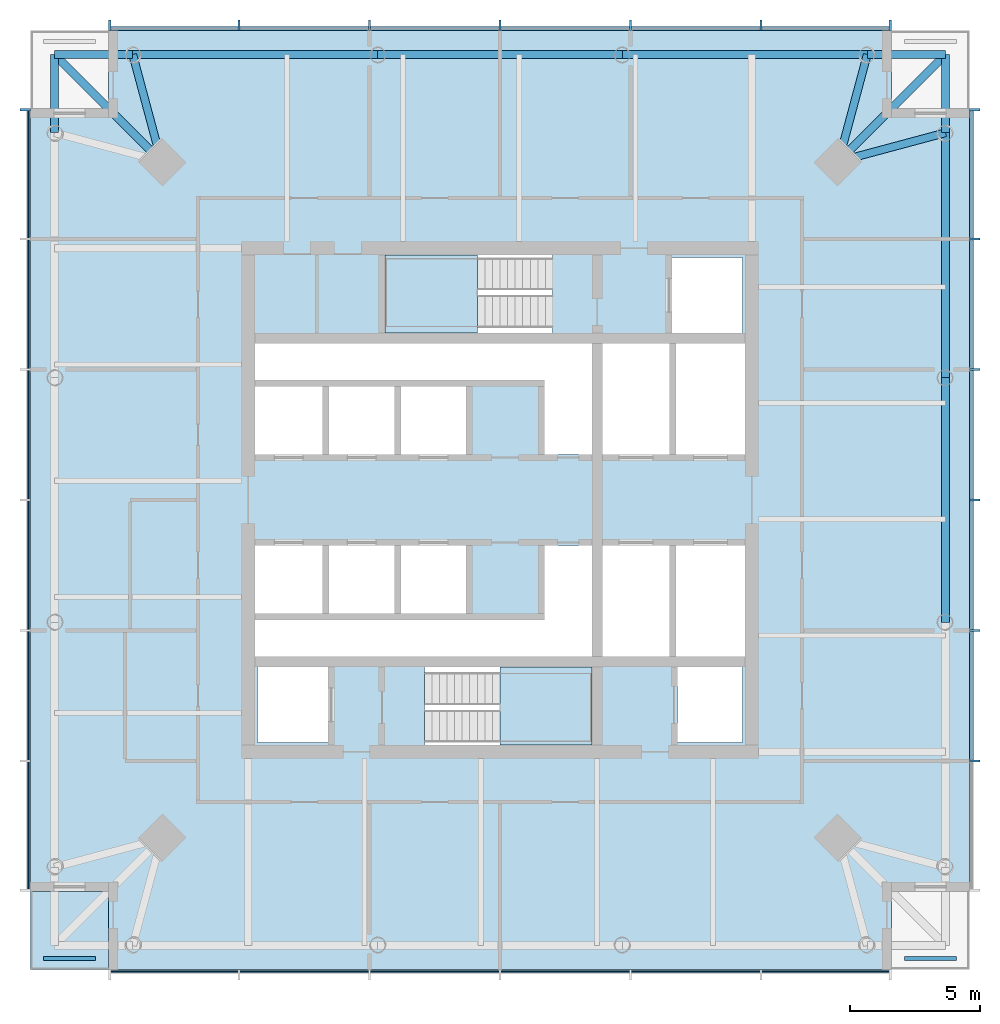
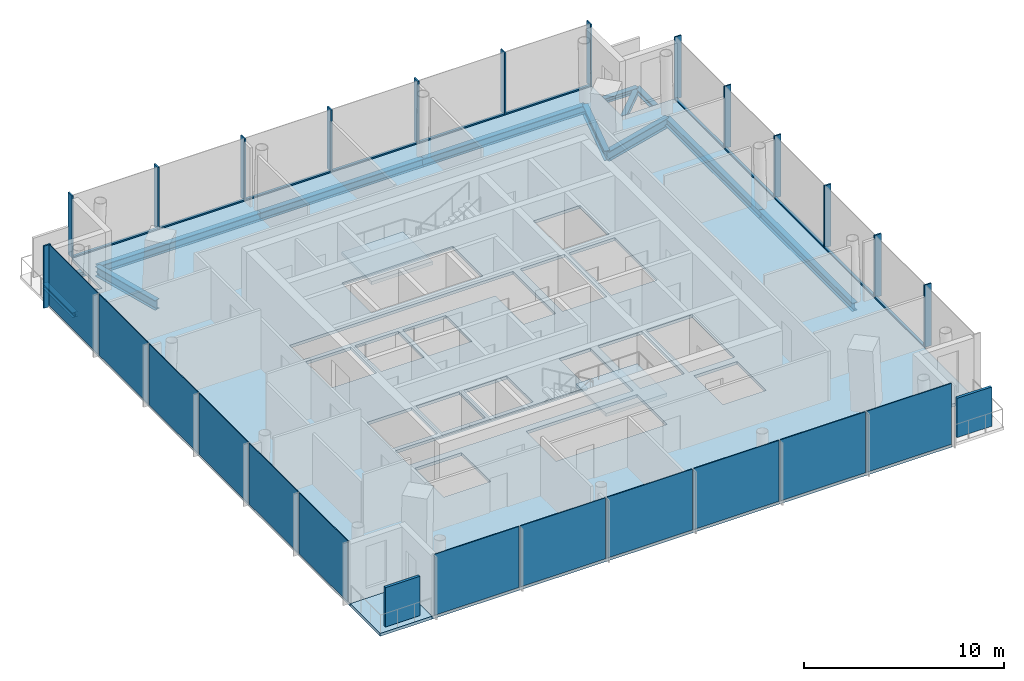
# One storey, part 2 of 7: 25 members, 14 beams, 14 plates, 4 slabs, 6 elements without a shape of their own.
"""IFC4 building model written with IfcOpenShell, lengths in metres."""

from ifc_helpers import new_model, si_unit, direction, frame, origin, origin_2d, place, context, subcontext, project, spatial, polyline, rectangle, i_section, outline, extrude, material, layer, layer_set, material_profile, profile_set, type_object, element, aggregate, save


model = new_model("IFC4")

# Units and contexts
model_context = context("Model", 3, precision=1e-05, world=origin(), true_north=direction((0.0, 1.0)))
body_context = subcontext(model_context, "Body", "Model", "MODEL_VIEW")
ifc_project = project(units=[si_unit("LENGTHUNIT", "METRE"), si_unit("AREAUNIT", "SQUARE_METRE"), si_unit("VOLUMEUNIT", "CUBIC_METRE"), si_unit("PLANEANGLEUNIT", "RADIAN"), si_unit("MASSUNIT", "GRAM", prefix="KILO")], contexts=[model_context])

# Site, building, storey
site_placement = place(None, origin())
site = spatial("IfcSite", under=ifc_project, at=site_placement, CompositionType="ELEMENT")
building_placement = place(site_placement, origin())
building = spatial("IfcBuilding", under=site, at=building_placement, Name="Ostroluk Exchange", CompositionType="ELEMENT")
storey_placement = place(building_placement, frame((0.0, 0.0, 237.60009765625)))
storey = spatial("IfcBuildingStorey", under=building, at=storey_placement, Name="L61", CompositionType="ELEMENT", Elevation=237.60009765625)

# Beams
ifc_material_1 = material(Name="Steel S355", Category="steel")
ifc_material_profile_1 = material_profile(ifc_material_1, i_section(OverallWidth=0.300048828125, OverallDepth=0.300048828125, WebThickness=0.010986328125, FlangeThickness=0.01904296875, FilletRadius=0.027099609375, at=origin_2d()), Name="HEB 300")
ifc_profile_set_1 = profile_set([ifc_material_profile_1], Name="Steel S355")
beam_type_1 = type_object("IfcBeamType", Name="Balcony beam HEB 300", PredefinedType="BEAM", material=ifc_profile_set_1)
for number, where, z_axis, x_axis, name in (
    (1, (62.07861328125, 60.07861328125, -0.330078125), (0.0, 1.0, 0.0), (-1.0, 0.0, 0.0), "T1 east balcony beam a"),
    (2, (59.07861328125, 63.07861328125, -0.330078125), (1.0, 0.0, 0.0), (0.0, 1.0, 0.0), "T1 east balcony beam b"),
):
    element("IfcBeam", number, at=place(storey_placement, frame(where, z_axis=z_axis, x_axis=x_axis)), inside=storey, type_object=beam_type_1, Name=name, PredefinedType="BEAM", context=body_context, shape_type="SweptSolid", body=[
        extrude(i_section(OverallWidth=0.300048828125, OverallDepth=0.300048828125, WebThickness=0.010986328125, FlangeThickness=0.01904296875, FilletRadius=0.027099609375, at=origin_2d()), origin(), (0.0, 0.0, 1.0), 3.0),
    ])
beam_1_placement = place(storey_placement, frame((57.978515625, 58.978515625, -0.330078125), z_axis=(0.707106781187, 0.707106781187, 0.0), x_axis=(-0.707106781187, 0.707106781187, 0.0)))
element("IfcBeam", 3, at=beam_1_placement, inside=storey, type_object=beam_type_1, Name="T1 east balcony beam c", PredefinedType="BEAM", context=body_context, shape_type="SweptSolid", body=[
    extrude(i_section(OverallWidth=0.300048828125, OverallDepth=0.300048828125, WebThickness=0.010986328125, FlangeThickness=0.01904296875, FilletRadius=0.027099609375, at=origin_2d()), origin(), (0.0, 0.0, 1.0), 5.79833984375),
])
for number, where, z_axis, x_axis, name in (
    (4, (30.92138671875, 63.07861328125, -0.330078125), (-1.0, 0.0, 0.0), (0.0, -1.0, 0.0), "T1 north balcony beam a"),
    (5, (27.92138671875, 60.07861328125, -0.330078125), (0.0, 1.0, 0.0), (-1.0, 0.0, 0.0), "T1 north balcony beam b"),
):
    element("IfcBeam", number, at=place(storey_placement, frame(where, z_axis=z_axis, x_axis=x_axis)), inside=storey, type_object=beam_type_1, Name=name, PredefinedType="BEAM", context=body_context, shape_type="SweptSolid", body=[
        extrude(i_section(OverallWidth=0.300048828125, OverallDepth=0.300048828125, WebThickness=0.010986328125, FlangeThickness=0.01904296875, FilletRadius=0.027099609375, at=origin_2d()), origin(), (0.0, 0.0, 1.0), 3.0),
    ])
beam_2_placement = place(storey_placement, frame((32.021484375, 58.978515625, -0.330078125), z_axis=(-0.707106781187, 0.707106781187, 0.0), x_axis=(-0.707106781187, -0.707106781187, 0.0)))
element("IfcBeam", 6, at=beam_2_placement, inside=storey, type_object=beam_type_1, Name="T1 north balcony beam c", PredefinedType="BEAM", context=body_context, shape_type="SweptSolid", body=[
    extrude(i_section(OverallWidth=0.300048828125, OverallDepth=0.300048828125, WebThickness=0.010986328125, FlangeThickness=0.01904296875, FilletRadius=0.027099609375, at=origin_2d()), origin(), (0.0, 0.0, 1.0), 5.79833984375),
])
ifc_material_2 = material(Name="Steel S355", Category="steel")
ifc_material_profile_2 = material_profile(ifc_material_2, i_section(OverallWidth=0.300048828125, OverallDepth=0.60009765625, WebThickness=0.015380859375, FlangeThickness=0.030029296875, FilletRadius=0.027099609375, at=origin_2d()), Name="HEB 600")
ifc_profile_set_2 = profile_set([ifc_material_profile_2], Name="Steel S355")
beam_type_2 = type_object("IfcBeamType", Name="Corner edge beam HEB 600", PredefinedType="SPANDREL", material=ifc_profile_set_2)
for number, where, z_axis, x_axis, name in (
    (7, (57.978515625, 58.978515625, -0.47998046875), (0.965838624319, 0.259144268261, 0.0), (-0.259144268261, 0.965838624319, 0.0), "T1 east corner edge beam a"),
    (8, (57.978515625, 58.978515625, -0.47998046875), (0.259144268261, 0.965838624319, 0.0), (-0.965838624319, 0.259144268261, 0.0), "T1 east corner edge beam b"),
    (9, (32.021484375, 58.978515625, -0.47998046875), (-0.259144268261, 0.965838624319, 0.0), (-0.965838624319, -0.259144268261, 0.0), "T1 north corner edge beam a"),
):
    element("IfcBeam", number, at=place(storey_placement, frame(where, z_axis=z_axis, x_axis=x_axis)), inside=storey, type_object=beam_type_2, Name=name, PredefinedType="SPANDREL", context=body_context, shape_type="SweptSolid", body=[
        extrude(i_section(OverallWidth=0.300048828125, OverallDepth=0.60009765625, WebThickness=0.015380859375, FlangeThickness=0.030029296875, FilletRadius=0.027099609375, at=origin_2d()), origin(), (0.0, 0.0, 1.0), 4.2451171875),
    ])
ifc_material_3 = material(Name="Steel S355", Category="steel")
ifc_material_profile_3 = material_profile(ifc_material_3, i_section(OverallWidth=0.300048828125, OverallDepth=0.5, WebThickness=0.014404296875, FlangeThickness=0.028076171875, FilletRadius=0.027099609375, at=origin_2d()), Name="HEB 500")
ifc_profile_set_3 = profile_set([ifc_material_profile_3], Name="Steel S355")
beam_type_3 = type_object("IfcBeamType", Name="Moment-connected edge beam HEB 500", PredefinedType="SPANDREL", material=ifc_profile_set_3)
for number, where, z_axis, x_axis, name in (
    (10, (62.07861328125, 41.30712890625, -0.43017578125), (0.0, 1.0, 0.0), (-1.0, 0.0, 0.0), "T1 east edge beam 2"),
    (11, (62.07861328125, 50.69287109375, -0.43017578125), (0.0, 1.0, 0.0), (-1.0, 0.0, 0.0), "T1 east edge beam 3"),
    (12, (59.07861328125, 63.07861328125, -0.43017578125), (-1.0, 0.0, 0.0), (0.0, -1.0, 0.0), "T1 north edge beam 1"),
    (13, (49.69287109375, 63.07861328125, -0.43017578125), (-1.0, 0.0, 0.0), (0.0, -1.0, 0.0), "T1 north edge beam 2"),
    (14, (40.30712890625, 63.07861328125, -0.43017578125), (-1.0, 0.0, 0.0), (0.0, -1.0, 0.0), "T1 north edge beam 3"),
):
    element("IfcBeam", number, at=place(storey_placement, frame(where, z_axis=z_axis, x_axis=x_axis)), inside=storey, type_object=beam_type_3, Name=name, PredefinedType="SPANDREL", context=body_context, shape_type="SweptSolid", body=[
        extrude(i_section(OverallWidth=0.300048828125, OverallDepth=0.5, WebThickness=0.014404296875, FlangeThickness=0.028076171875, FilletRadius=0.027099609375, at=origin_2d()), origin(), (0.0, 0.0, 1.0), 9.3857421875),
    ])

# Curtain wall, members
ifc_material_4 = material(Name="Laminated clear glass", Category="glass")
curtain_wall_type = type_object("IfcCurtainWallType", Name="Office tower facade", PredefinedType="USERDEFINED", material=ifc_material_4)
curtain_wall_1_placement = place(storey_placement, origin())
curtain_wall_1 = element("IfcCurtainWall", 15, at=curtain_wall_1_placement, inside=storey, type_object=curtain_wall_type, Name="Office tower east facade L61", ObjectType="UNITISED CURTAIN WALL", PredefinedType="USERDEFINED")
ifc_material_5 = material(Name="Aluminium mullion", Category="aluminium")
ifc_material_profile_4 = material_profile(ifc_material_5, rectangle(XDim=0.14990234375, YDim=0.080078125, at=origin_2d()), Name="Sill transom 80 x 150")
ifc_profile_set_4 = profile_set([ifc_material_profile_4], Name="Aluminium mullion")
member_type_1 = type_object("IfcMemberType", Name="Sill transom 80 x 150", PredefinedType="USERDEFINED", material=ifc_profile_set_4)
member_1_placement = place(storey_placement, frame((63.074951171875, 36.0400390625, 0.039794921875), z_axis=(0.0, 1.0, 0.0), x_axis=(-1.0, 0.0, 0.0)))
member_1 = element("IfcMember", 16, at=member_1_placement, type_object=member_type_1, Name="CW-O1 transom 2.1", ObjectType="TRANSOM", PredefinedType="USERDEFINED", context=body_context, shape_type="SweptSolid", body=[
    extrude(rectangle(XDim=0.14990234375, YDim=0.080078125, at=origin_2d()), origin(), (0.0, 0.0, 1.0), 4.919921875),
])
member_2_placement = place(storey_placement, frame((63.074951171875, 41.0400390625, 0.039794921875), z_axis=(0.0, 1.0, 0.0), x_axis=(-1.0, 0.0, 0.0)))
member_2 = element("IfcMember", 17, at=member_2_placement, type_object=member_type_1, Name="CW-O1 transom 3.1", ObjectType="TRANSOM", PredefinedType="USERDEFINED", context=body_context, shape_type="SweptSolid", body=[
    extrude(rectangle(XDim=0.14990234375, YDim=0.080078125, at=origin_2d()), origin(), (0.0, 0.0, 1.0), 4.919921875),
])
member_3_placement = place(storey_placement, frame((63.074951171875, 46.0400390625, 0.039794921875), z_axis=(0.0, 1.0, 0.0), x_axis=(-1.0, 0.0, 0.0)))
member_3 = element("IfcMember", 18, at=member_3_placement, type_object=member_type_1, Name="CW-O1 transom 4.1", ObjectType="TRANSOM", PredefinedType="USERDEFINED", context=body_context, shape_type="SweptSolid", body=[
    extrude(rectangle(XDim=0.14990234375, YDim=0.080078125, at=origin_2d()), origin(), (0.0, 0.0, 1.0), 4.919921875),
])
member_4_placement = place(storey_placement, frame((63.074951171875, 51.0400390625, 0.039794921875), z_axis=(0.0, 1.0, 0.0), x_axis=(-1.0, 0.0, 0.0)))
member_4 = element("IfcMember", 19, at=member_4_placement, type_object=member_type_1, Name="CW-O1 transom 5.1", ObjectType="TRANSOM", PredefinedType="USERDEFINED", context=body_context, shape_type="SweptSolid", body=[
    extrude(rectangle(XDim=0.14990234375, YDim=0.080078125, at=origin_2d()), origin(), (0.0, 0.0, 1.0), 4.919921875),
])
member_5_placement = place(storey_placement, frame((63.074951171875, 56.0400390625, 0.039794921875), z_axis=(0.0, 1.0, 0.0), x_axis=(-1.0, 0.0, 0.0)))
member_5 = element("IfcMember", 20, at=member_5_placement, type_object=member_type_1, Name="CW-O1 transom 6.1", ObjectType="TRANSOM", PredefinedType="USERDEFINED", context=body_context, shape_type="SweptSolid", body=[
    extrude(rectangle(XDim=0.14990234375, YDim=0.080078125, at=origin_2d()), origin(), (0.0, 0.0, 1.0), 4.8798828125),
])

curtain_wall_2_placement = place(storey_placement, origin())
curtain_wall_2 = element("IfcCurtainWall", 21, at=curtain_wall_2_placement, inside=storey, type_object=curtain_wall_type, Name="Office tower north facade L61", ObjectType="UNITISED CURTAIN WALL", PredefinedType="USERDEFINED")
member_6_placement = place(storey_placement, frame((59.919921875, 64.074951171875, 0.039794921875), z_axis=(-1.0, 0.0, 0.0), x_axis=(0.0, -1.0, 0.0)))
member_6 = element("IfcMember", 22, at=member_6_placement, type_object=member_type_1, Name="CW-O1 transom 1.1", ObjectType="TRANSOM", PredefinedType="USERDEFINED", context=body_context, shape_type="SweptSolid", body=[
    extrude(rectangle(XDim=0.14990234375, YDim=0.080078125, at=origin_2d()), origin(), (0.0, 0.0, 1.0), 4.8798828125),
])
member_7_placement = place(storey_placement, frame((54.9599609375, 64.074951171875, 0.039794921875), z_axis=(-1.0, 0.0, 0.0), x_axis=(0.0, -1.0, 0.0)))
member_7 = element("IfcMember", 23, at=member_7_placement, type_object=member_type_1, Name="CW-O1 transom 2.1", ObjectType="TRANSOM", PredefinedType="USERDEFINED", context=body_context, shape_type="SweptSolid", body=[
    extrude(rectangle(XDim=0.14990234375, YDim=0.080078125, at=origin_2d()), origin(), (0.0, 0.0, 1.0), 4.919921875),
])
member_8_placement = place(storey_placement, frame((49.9599609375, 64.074951171875, 0.039794921875), z_axis=(-1.0, 0.0, 0.0), x_axis=(0.0, -1.0, 0.0)))
member_8 = element("IfcMember", 24, at=member_8_placement, type_object=member_type_1, Name="CW-O1 transom 3.1", ObjectType="TRANSOM", PredefinedType="USERDEFINED", context=body_context, shape_type="SweptSolid", body=[
    extrude(rectangle(XDim=0.14990234375, YDim=0.080078125, at=origin_2d()), origin(), (0.0, 0.0, 1.0), 4.919921875),
])
member_9_placement = place(storey_placement, frame((44.9599609375, 64.074951171875, 0.039794921875), z_axis=(-1.0, 0.0, 0.0), x_axis=(0.0, -1.0, 0.0)))
member_9 = element("IfcMember", 25, at=member_9_placement, type_object=member_type_1, Name="CW-O1 transom 4.1", ObjectType="TRANSOM", PredefinedType="USERDEFINED", context=body_context, shape_type="SweptSolid", body=[
    extrude(rectangle(XDim=0.14990234375, YDim=0.080078125, at=origin_2d()), origin(), (0.0, 0.0, 1.0), 4.919921875),
])
member_10_placement = place(storey_placement, frame((39.9599609375, 64.074951171875, 0.039794921875), z_axis=(-1.0, 0.0, 0.0), x_axis=(0.0, -1.0, 0.0)))
member_10 = element("IfcMember", 26, at=member_10_placement, type_object=member_type_1, Name="CW-O1 transom 5.1", ObjectType="TRANSOM", PredefinedType="USERDEFINED", context=body_context, shape_type="SweptSolid", body=[
    extrude(rectangle(XDim=0.14990234375, YDim=0.080078125, at=origin_2d()), origin(), (0.0, 0.0, 1.0), 4.919921875),
])
member_11_placement = place(storey_placement, frame((34.9599609375, 64.074951171875, 0.039794921875), z_axis=(-1.0, 0.0, 0.0), x_axis=(0.0, -1.0, 0.0)))
member_11 = element("IfcMember", 27, at=member_11_placement, type_object=member_type_1, Name="CW-O1 transom 6.1", ObjectType="TRANSOM", PredefinedType="USERDEFINED", context=body_context, shape_type="SweptSolid", body=[
    extrude(rectangle(XDim=0.14990234375, YDim=0.080078125, at=origin_2d()), origin(), (0.0, 0.0, 1.0), 4.8798828125),
])

# Member
ifc_material_6 = material(Name="Aluminium mullion with limestone facing", Category="masonry")
ifc_material_profile_5 = material_profile(ifc_material_6, rectangle(XDim=0.39990234375, YDim=0.080078125, at=origin_2d()), Name="Tracery mullion 80 x 400")
ifc_profile_set_5 = profile_set([ifc_material_profile_5], Name="Aluminium mullion with limestone facing")
member_type_2 = type_object("IfcMemberType", Name="Tracery mullion 80 x 400", PredefinedType="MULLION", material=ifc_profile_set_5)
member_12_placement = place(storey_placement, frame((63.199951171875, 36.0, 0.0), z_axis=(0.0, 0.0, 1.0), x_axis=(-1.0, 0.0, 0.0)))
member_12 = element("IfcMember", 28, at=member_12_placement, type_object=member_type_2, Name="CW-O1 mullion 2", PredefinedType="MULLION", context=body_context, shape_type="SweptSolid", body=[
    extrude(rectangle(XDim=0.39990234375, YDim=0.080078125, at=origin_2d()), origin(), (0.0, 0.0, 1.0), 3.7998046875),
])

member_13_placement = place(storey_placement, frame((63.199951171875, 41.0, 0.0), z_axis=(0.0, 0.0, 1.0), x_axis=(-1.0, 0.0, 0.0)))
member_13 = element("IfcMember", 29, at=member_13_placement, type_object=member_type_2, Name="CW-O1 mullion 3", PredefinedType="MULLION", context=body_context, shape_type="SweptSolid", body=[
    extrude(rectangle(XDim=0.39990234375, YDim=0.080078125, at=origin_2d()), origin(), (0.0, 0.0, 1.0), 3.7998046875),
])

member_14_placement = place(storey_placement, frame((63.199951171875, 46.0, 0.0), z_axis=(0.0, 0.0, 1.0), x_axis=(-1.0, 0.0, 0.0)))
member_14 = element("IfcMember", 30, at=member_14_placement, type_object=member_type_2, Name="CW-O1 mullion 4", PredefinedType="MULLION", context=body_context, shape_type="SweptSolid", body=[
    extrude(rectangle(XDim=0.39990234375, YDim=0.080078125, at=origin_2d()), origin(), (0.0, 0.0, 1.0), 3.7998046875),
])

member_15_placement = place(storey_placement, frame((63.199951171875, 51.0, 0.0), z_axis=(0.0, 0.0, 1.0), x_axis=(-1.0, 0.0, 0.0)))
member_15 = element("IfcMember", 31, at=member_15_placement, type_object=member_type_2, Name="CW-O1 mullion 5", PredefinedType="MULLION", context=body_context, shape_type="SweptSolid", body=[
    extrude(rectangle(XDim=0.39990234375, YDim=0.080078125, at=origin_2d()), origin(), (0.0, 0.0, 1.0), 3.7998046875),
])

member_16_placement = place(storey_placement, frame((63.199951171875, 56.0, 0.0), z_axis=(0.0, 0.0, 1.0), x_axis=(-1.0, 0.0, 0.0)))
member_16 = element("IfcMember", 32, at=member_16_placement, type_object=member_type_2, Name="CW-O1 mullion 6", PredefinedType="MULLION", context=body_context, shape_type="SweptSolid", body=[
    extrude(rectangle(XDim=0.39990234375, YDim=0.080078125, at=origin_2d()), origin(), (0.0, 0.0, 1.0), 3.7998046875),
])

member_17_placement = place(storey_placement, frame((63.199951171875, 60.9599609375, 0.0), z_axis=(0.0, 0.0, 1.0), x_axis=(-1.0, 0.0, 0.0)))
member_17 = element("IfcMember", 33, at=member_17_placement, type_object=member_type_2, Name="CW-O1 mullion 7", PredefinedType="MULLION", context=body_context, shape_type="SweptSolid", body=[
    extrude(rectangle(XDim=0.39990234375, YDim=0.080078125, at=origin_2d()), origin(), (0.0, 0.0, 1.0), 3.7998046875),
])

aggregate(curtain_wall_1, [member_12, member_13, member_14, member_15, member_16, member_17, member_1, member_2, member_3, member_4, member_5])

member_18_placement = place(storey_placement, frame((59.9599609375, 64.199951171875, 0.0), z_axis=(0.0, 0.0, 1.0), x_axis=(0.0, -1.0, 0.0)))
member_18 = element("IfcMember", 34, at=member_18_placement, type_object=member_type_2, Name="CW-O1 mullion 1", PredefinedType="MULLION", context=body_context, shape_type="SweptSolid", body=[
    extrude(rectangle(XDim=0.39990234375, YDim=0.080078125, at=origin_2d()), origin(), (0.0, 0.0, 1.0), 3.7998046875),
])

member_19_placement = place(storey_placement, frame((55.0, 64.199951171875, 0.0), z_axis=(0.0, 0.0, 1.0), x_axis=(0.0, -1.0, 0.0)))
member_19 = element("IfcMember", 35, at=member_19_placement, type_object=member_type_2, Name="CW-O1 mullion 2", PredefinedType="MULLION", context=body_context, shape_type="SweptSolid", body=[
    extrude(rectangle(XDim=0.39990234375, YDim=0.080078125, at=origin_2d()), origin(), (0.0, 0.0, 1.0), 3.7998046875),
])

member_20_placement = place(storey_placement, frame((50.0, 64.199951171875, 0.0), z_axis=(0.0, 0.0, 1.0), x_axis=(0.0, -1.0, 0.0)))
member_20 = element("IfcMember", 36, at=member_20_placement, type_object=member_type_2, Name="CW-O1 mullion 3", PredefinedType="MULLION", context=body_context, shape_type="SweptSolid", body=[
    extrude(rectangle(XDim=0.39990234375, YDim=0.080078125, at=origin_2d()), origin(), (0.0, 0.0, 1.0), 3.7998046875),
])

member_21_placement = place(storey_placement, frame((45.0, 64.199951171875, 0.0), z_axis=(0.0, 0.0, 1.0), x_axis=(0.0, -1.0, 0.0)))
member_21 = element("IfcMember", 37, at=member_21_placement, type_object=member_type_2, Name="CW-O1 mullion 4", PredefinedType="MULLION", context=body_context, shape_type="SweptSolid", body=[
    extrude(rectangle(XDim=0.39990234375, YDim=0.080078125, at=origin_2d()), origin(), (0.0, 0.0, 1.0), 3.7998046875),
])

member_22_placement = place(storey_placement, frame((40.0, 64.199951171875, 0.0), z_axis=(0.0, 0.0, 1.0), x_axis=(0.0, -1.0, 0.0)))
member_22 = element("IfcMember", 38, at=member_22_placement, type_object=member_type_2, Name="CW-O1 mullion 5", PredefinedType="MULLION", context=body_context, shape_type="SweptSolid", body=[
    extrude(rectangle(XDim=0.39990234375, YDim=0.080078125, at=origin_2d()), origin(), (0.0, 0.0, 1.0), 3.7998046875),
])

member_23_placement = place(storey_placement, frame((35.0, 64.199951171875, 0.0), z_axis=(0.0, 0.0, 1.0), x_axis=(0.0, -1.0, 0.0)))
member_23 = element("IfcMember", 39, at=member_23_placement, type_object=member_type_2, Name="CW-O1 mullion 6", PredefinedType="MULLION", context=body_context, shape_type="SweptSolid", body=[
    extrude(rectangle(XDim=0.39990234375, YDim=0.080078125, at=origin_2d()), origin(), (0.0, 0.0, 1.0), 3.7998046875),
])

member_24_placement = place(storey_placement, frame((30.0400390625, 64.199951171875, 0.0), z_axis=(0.0, 0.0, 1.0), x_axis=(0.0, -1.0, 0.0)))
member_24 = element("IfcMember", 40, at=member_24_placement, type_object=member_type_2, Name="CW-O1 mullion 7", PredefinedType="MULLION", context=body_context, shape_type="SweptSolid", body=[
    extrude(rectangle(XDim=0.39990234375, YDim=0.080078125, at=origin_2d()), origin(), (0.0, 0.0, 1.0), 3.7998046875),
])

aggregate(curtain_wall_2, [member_18, member_19, member_20, member_21, member_22, member_23, member_24, member_6, member_7, member_8, member_9, member_10, member_11])

# Curtain wall, member
curtain_wall_3_placement = place(storey_placement, origin())
curtain_wall_3 = element("IfcCurtainWall", 41, at=curtain_wall_3_placement, inside=storey, type_object=curtain_wall_type, Name="Office tower west facade L61", ObjectType="UNITISED CURTAIN WALL", PredefinedType="USERDEFINED")
member_25_placement = place(storey_placement, frame((26.800048828125, 60.9599609375, 0.0), z_axis=(0.0, 0.0, 1.0), x_axis=(1.0, 0.0, 0.0)))
member_25 = element("IfcMember", 42, at=member_25_placement, type_object=member_type_2, Name="CW-O1 mullion 1", PredefinedType="MULLION", context=body_context, shape_type="SweptSolid", body=[
    extrude(rectangle(XDim=0.39990234375, YDim=0.080078125, at=origin_2d()), origin(), (0.0, 0.0, 1.0), 3.7998046875),
])

# Slab
ifc_material_7 = material(Name="Concrete C35/45", Category="concrete")
ifc_layer_1 = layer(ifc_material_7, 0.179931640625)
ifc_layer_set_1 = layer_set([ifc_layer_1], Name="Balcony slab 180")
slab_type_1 = type_object("IfcSlabType", Name="Balcony slab 180", PredefinedType="USERDEFINED", material=ifc_layer_set_1)
slab_1_placement = place(storey_placement, frame((0.0, 0.0, -0.18017578125)))
element("IfcSlab", 43, at=slab_1_placement, inside=storey, type_object=slab_type_1, Name="Office tower SW corner balcony L61", ObjectType="BALCONY", PredefinedType="USERDEFINED", context=body_context, shape_type="SweptSolid", body=[
    extrude(outline(polyline([(27.0, 28.0), (30.0, 28.0), (30.0, 31.0), (27.0, 31.0), (27.0, 28.0)])), origin(), (0.0, 0.0, 1.0), 0.18017578125),
])

# Plates
ifc_material_8 = material(Name="Steel S355 trellis with planting", Category="steel")
ifc_layer_2 = layer(ifc_material_8, 0.14990234375)
ifc_layer_set_2 = layer_set([ifc_layer_2], Name="Planted screen 150")
plate_type_1 = type_object("IfcPlateType", Name="Planted screen 150", PredefinedType="USERDEFINED", material=ifc_layer_set_2)
for number, where, z_axis, x_axis, name in (
    (44, (61.5, 28.425048828125, 0.0), (0.0, 0.0, 1.0), (1.0, 0.0, 0.0), "Office tower SE planted screen L61"),
    (45, (28.5, 28.425048828125, 0.0), (0.0, 0.0, 1.0), (1.0, 0.0, 0.0), "Office tower SW planted screen L61"),
):
    element("IfcPlate", number, at=place(storey_placement, frame(where, z_axis=z_axis, x_axis=x_axis)), inside=storey, type_object=plate_type_1, Name=name, ObjectType="PLANTED SCREEN", PredefinedType="USERDEFINED", context=body_context, shape_type="SweptSolid", body=[
        extrude(rectangle(XDim=2.0, YDim=0.14990234375, at=origin_2d()), origin(), (0.0, 0.0, 1.0), 2.39990234375),
    ])

# Stair, slab
ifc_material_9 = material(Name="Concrete C30/37", Category="concrete")
stair_type = type_object("IfcStairType", Name="Exit stair half turn 3800", PredefinedType="HALF_TURN_STAIR", material=ifc_material_9)
stair_1_placement = place(storey_placement, origin())
stair_1 = element("IfcStair", 46, at=stair_1_placement, inside=storey, type_object=stair_type, Name="Stair T1-S1 L61", PredefinedType="HALF_TURN_STAIR")
ifc_material_10 = material(Name="Concrete C30/37", Category="concrete")
ifc_layer_3 = layer(ifc_material_10, 0.199951171875)
ifc_layer_set_3 = layer_set([ifc_layer_3], Name="Stair landing 200")
slab_type_2 = type_object("IfcSlabType", Name="Stair landing 200", PredefinedType="LANDING", material=ifc_layer_set_3)
slab_2_placement = place(storey_placement, frame((0.0, 0.0, 1.699951171875)))
slab_2 = element("IfcSlab", 47, at=slab_2_placement, type_object=slab_type_2, Name="T1-S1 landing 1", PredefinedType="LANDING", context=body_context, shape_type="SweptSolid", body=[
    extrude(outline(polyline([(45.0, 36.60009765625), (45.0, 39.60009765625), (48.530029296875, 39.60009765625), (48.530029296875, 36.60009765625), (45.0, 36.60009765625)])), origin(), (0.0, 0.0, 1.0), 0.199951171875),
])
aggregate(stair_1, [slab_2])

stair_2_placement = place(storey_placement, origin())
stair_2 = element("IfcStair", 48, at=stair_2_placement, inside=storey, type_object=stair_type, Name="Stair T1-S2 L61", PredefinedType="HALF_TURN_STAIR")
slab_3_placement = place(storey_placement, frame((0.0, 0.0, 1.699951171875)))
slab_3 = element("IfcSlab", 49, at=slab_3_placement, type_object=slab_type_2, Name="T1-S2 landing 1", PredefinedType="LANDING", context=body_context, shape_type="SweptSolid", body=[
    extrude(outline(polyline([(44.1298828125, 52.39990234375), (44.1298828125, 55.39990234375), (40.60009765625, 55.39990234375), (40.60009765625, 52.39990234375), (44.1298828125, 52.39990234375)])), origin(), (0.0, 0.0, 1.0), 0.199951171875),
])
aggregate(stair_2, [slab_3])

# Slab
ifc_material_11 = material(Name="Concrete C35/45", Category="concrete")
ifc_layer_4 = layer(ifc_material_11, 0.179931640625)
ifc_layer_set_4 = layer_set([ifc_layer_4], Name="Tower floor slab 180 composite")
slab_type_3 = type_object("IfcSlabType", Name="Tower floor slab 180 composite", PredefinedType="FLOOR", material=ifc_layer_set_4)
slab_4_placement = place(storey_placement, frame((0.0, 0.0, -0.18017578125)))
element("IfcSlab", 50, at=slab_4_placement, inside=storey, type_object=slab_type_3, Name="Office tower floor slab L61", PredefinedType="FLOOR", context=body_context, shape_type="SweptSolid", body=[
    extrude(outline(polyline([(30.0, 28.0), (60.0, 28.0), (60.0, 31.0), (63.0, 31.0), (63.0, 61.0), (60.0, 61.0), (60.0, 64.0), (30.0, 64.0), (30.0, 61.0), (27.0, 61.0), (27.0, 31.0), (30.0, 31.0), (30.0, 28.0)]), holes=[polyline([(35.699951171875, 36.699951171875), (38.39990234375, 36.699951171875), (38.39990234375, 39.60009765625), (35.699951171875, 39.60009765625), (35.699951171875, 36.699951171875)]), polyline([(42.110107421875, 36.60009765625), (48.530029296875, 36.60009765625), (48.530029296875, 39.60009765625), (42.110107421875, 39.60009765625), (42.110107421875, 36.60009765625)]), polyline([(51.800048828125, 36.699951171875), (54.300048828125, 36.699951171875), (54.300048828125, 39.60009765625), (51.800048828125, 39.60009765625), (51.800048828125, 36.699951171875)]), polyline([(40.60009765625, 52.39990234375), (47.02001953125, 52.39990234375), (47.02001953125, 55.39990234375), (40.60009765625, 55.39990234375), (40.60009765625, 52.39990234375)]), polyline([(51.60009765625, 52.39990234375), (54.300048828125, 52.39990234375), (54.300048828125, 55.300048828125), (51.60009765625, 55.300048828125), (51.60009765625, 52.39990234375)]), polyline([(35.60009765625, 47.75), (38.199951171875, 47.75), (38.199951171875, 50.35009765625), (35.60009765625, 50.35009765625), (35.60009765625, 47.75)]), polyline([(38.449951171875, 47.75), (40.949951171875, 47.75), (40.949951171875, 50.35009765625), (38.449951171875, 50.35009765625), (38.449951171875, 47.75)]), polyline([(41.199951171875, 47.75), (43.699951171875, 47.75), (43.699951171875, 50.35009765625), (41.199951171875, 50.35009765625), (41.199951171875, 47.75)]), polyline([(35.60009765625, 41.64990234375), (38.199951171875, 41.64990234375), (38.199951171875, 44.25), (35.60009765625, 44.25), (35.60009765625, 41.64990234375)]), polyline([(38.449951171875, 41.64990234375), (40.949951171875, 41.64990234375), (40.949951171875, 44.25), (38.449951171875, 44.25), (38.449951171875, 41.64990234375)]), polyline([(41.199951171875, 41.64990234375), (43.699951171875, 41.64990234375), (43.699951171875, 44.25), (41.199951171875, 44.25), (41.199951171875, 41.64990234375)]), polyline([(48.929931640625, 47.75), (51.489990234375, 47.75), (51.489990234375, 52.0), (48.929931640625, 52.0), (48.929931640625, 47.75)]), polyline([(51.739990234375, 47.75), (54.39990234375, 47.75), (54.39990234375, 52.0), (51.739990234375, 52.0), (51.739990234375, 47.75)]), polyline([(48.929931640625, 40.0), (51.489990234375, 40.0), (51.489990234375, 44.25), (48.929931640625, 44.25), (48.929931640625, 40.0)]), polyline([(51.739990234375, 40.0), (54.39990234375, 40.0), (54.39990234375, 44.25), (51.739990234375, 44.25), (51.739990234375, 40.0)]), polyline([(48.530029296875, 52.0), (48.530029296875, 47.75), (46.699951171875, 47.75), (46.699951171875, 50.60009765625), (35.60009765625, 50.60009765625), (35.60009765625, 52.0), (48.530029296875, 52.0)]), polyline([(35.60009765625, 40.0), (35.60009765625, 41.39990234375), (46.699951171875, 41.39990234375), (46.699951171875, 44.25), (48.530029296875, 44.25), (48.530029296875, 40.0), (35.60009765625, 40.0)])]), origin(), (0.0, 0.0, 1.0), 0.18017578125),
])

# Curtain wall, plates
curtain_wall_4_placement = place(storey_placement, origin())
curtain_wall_4 = element("IfcCurtainWall", 51, at=curtain_wall_4_placement, inside=storey, type_object=curtain_wall_type, Name="Office tower south facade L61", ObjectType="UNITISED CURTAIN WALL", PredefinedType="USERDEFINED")
ifc_material_12 = material(Name="Laminated clear glass", Category="glass")
ifc_layer_5 = layer(ifc_material_12, 0.0439453125)
ifc_layer_set_5 = layer_set([ifc_layer_5], Name="Triple laminated clear glazing 44")
plate_type_2 = type_object("IfcPlateType", Name="Triple laminated clear glazing 44", PredefinedType="CURTAIN_PANEL", material=ifc_layer_set_5)
plate_1_placement = place(storey_placement, frame((32.52001953125, 27.925048828125, 0.080078125), z_axis=(0.0, 0.0, 1.0), x_axis=(1.0, 0.0, 0.0)))
plate_1 = element("IfcPlate", 52, at=plate_1_placement, type_object=plate_type_2, Name="CW-O1 panel 1.1", PredefinedType="CURTAIN_PANEL", context=body_context, shape_type="SweptSolid", body=[
    extrude(rectangle(XDim=4.8798828125, YDim=0.0439453125, at=origin_2d()), origin(), (0.0, 0.0, 1.0), 3.719970703125),
])
plate_2_placement = place(storey_placement, frame((37.5, 27.925048828125, 0.080078125), z_axis=(0.0, 0.0, 1.0), x_axis=(1.0, 0.0, 0.0)))
plate_2 = element("IfcPlate", 53, at=plate_2_placement, type_object=plate_type_2, Name="CW-O1 panel 2.1", PredefinedType="CURTAIN_PANEL", context=body_context, shape_type="SweptSolid", body=[
    extrude(rectangle(XDim=4.919921875, YDim=0.0439453125, at=origin_2d()), origin(), (0.0, 0.0, 1.0), 3.719970703125),
])
plate_3_placement = place(storey_placement, frame((42.5, 27.925048828125, 0.080078125), z_axis=(0.0, 0.0, 1.0), x_axis=(1.0, 0.0, 0.0)))
plate_3 = element("IfcPlate", 54, at=plate_3_placement, type_object=plate_type_2, Name="CW-O1 panel 3.1", PredefinedType="CURTAIN_PANEL", context=body_context, shape_type="SweptSolid", body=[
    extrude(rectangle(XDim=4.919921875, YDim=0.0439453125, at=origin_2d()), origin(), (0.0, 0.0, 1.0), 3.719970703125),
])
plate_4_placement = place(storey_placement, frame((47.5, 27.925048828125, 0.080078125), z_axis=(0.0, 0.0, 1.0), x_axis=(1.0, 0.0, 0.0)))
plate_4 = element("IfcPlate", 55, at=plate_4_placement, type_object=plate_type_2, Name="CW-O1 panel 4.1", PredefinedType="CURTAIN_PANEL", context=body_context, shape_type="SweptSolid", body=[
    extrude(rectangle(XDim=4.919921875, YDim=0.0439453125, at=origin_2d()), origin(), (0.0, 0.0, 1.0), 3.719970703125),
])
plate_5_placement = place(storey_placement, frame((52.5, 27.925048828125, 0.080078125), z_axis=(0.0, 0.0, 1.0), x_axis=(1.0, 0.0, 0.0)))
plate_5 = element("IfcPlate", 56, at=plate_5_placement, type_object=plate_type_2, Name="CW-O1 panel 5.1", PredefinedType="CURTAIN_PANEL", context=body_context, shape_type="SweptSolid", body=[
    extrude(rectangle(XDim=4.919921875, YDim=0.0439453125, at=origin_2d()), origin(), (0.0, 0.0, 1.0), 3.719970703125),
])
plate_6_placement = place(storey_placement, frame((57.47998046875, 27.925048828125, 0.080078125), z_axis=(0.0, 0.0, 1.0), x_axis=(1.0, 0.0, 0.0)))
plate_6 = element("IfcPlate", 57, at=plate_6_placement, type_object=plate_type_2, Name="CW-O1 panel 6.1", PredefinedType="CURTAIN_PANEL", context=body_context, shape_type="SweptSolid", body=[
    extrude(rectangle(XDim=4.8798828125, YDim=0.0439453125, at=origin_2d()), origin(), (0.0, 0.0, 1.0), 3.719970703125),
])
aggregate(curtain_wall_4, [plate_1, plate_2, plate_3, plate_4, plate_5, plate_6])

# Plate
plate_7_placement = place(storey_placement, frame((26.925048828125, 58.47998046875, 0.080078125), z_axis=(0.0, 0.0, 1.0), x_axis=(0.0, -1.0, 0.0)))
plate_7 = element("IfcPlate", 58, at=plate_7_placement, type_object=plate_type_2, Name="CW-O1 panel 1.1", PredefinedType="CURTAIN_PANEL", context=body_context, shape_type="SweptSolid", body=[
    extrude(rectangle(XDim=4.8798828125, YDim=0.0439453125, at=origin_2d()), origin(), (0.0, 0.0, 1.0), 3.719970703125),
])

plate_8_placement = place(storey_placement, frame((26.925048828125, 53.5, 0.080078125), z_axis=(0.0, 0.0, 1.0), x_axis=(0.0, -1.0, 0.0)))
plate_8 = element("IfcPlate", 59, at=plate_8_placement, type_object=plate_type_2, Name="CW-O1 panel 2.1", PredefinedType="CURTAIN_PANEL", context=body_context, shape_type="SweptSolid", body=[
    extrude(rectangle(XDim=4.919921875, YDim=0.0439453125, at=origin_2d()), origin(), (0.0, 0.0, 1.0), 3.719970703125),
])

plate_9_placement = place(storey_placement, frame((26.925048828125, 48.5, 0.080078125), z_axis=(0.0, 0.0, 1.0), x_axis=(0.0, -1.0, 0.0)))
plate_9 = element("IfcPlate", 60, at=plate_9_placement, type_object=plate_type_2, Name="CW-O1 panel 3.1", PredefinedType="CURTAIN_PANEL", context=body_context, shape_type="SweptSolid", body=[
    extrude(rectangle(XDim=4.919921875, YDim=0.0439453125, at=origin_2d()), origin(), (0.0, 0.0, 1.0), 3.719970703125),
])

plate_10_placement = place(storey_placement, frame((26.925048828125, 43.5, 0.080078125), z_axis=(0.0, 0.0, 1.0), x_axis=(0.0, -1.0, 0.0)))
plate_10 = element("IfcPlate", 61, at=plate_10_placement, type_object=plate_type_2, Name="CW-O1 panel 4.1", PredefinedType="CURTAIN_PANEL", context=body_context, shape_type="SweptSolid", body=[
    extrude(rectangle(XDim=4.919921875, YDim=0.0439453125, at=origin_2d()), origin(), (0.0, 0.0, 1.0), 3.719970703125),
])

plate_11_placement = place(storey_placement, frame((26.925048828125, 38.5, 0.080078125), z_axis=(0.0, 0.0, 1.0), x_axis=(0.0, -1.0, 0.0)))
plate_11 = element("IfcPlate", 62, at=plate_11_placement, type_object=plate_type_2, Name="CW-O1 panel 5.1", PredefinedType="CURTAIN_PANEL", context=body_context, shape_type="SweptSolid", body=[
    extrude(rectangle(XDim=4.919921875, YDim=0.0439453125, at=origin_2d()), origin(), (0.0, 0.0, 1.0), 3.719970703125),
])

plate_12_placement = place(storey_placement, frame((26.925048828125, 33.52001953125, 0.080078125), z_axis=(0.0, 0.0, 1.0), x_axis=(0.0, -1.0, 0.0)))
plate_12 = element("IfcPlate", 63, at=plate_12_placement, type_object=plate_type_2, Name="CW-O1 panel 6.1", PredefinedType="CURTAIN_PANEL", context=body_context, shape_type="SweptSolid", body=[
    extrude(rectangle(XDim=4.8798828125, YDim=0.0439453125, at=origin_2d()), origin(), (0.0, 0.0, 1.0), 3.719970703125),
])

aggregate(curtain_wall_3, [member_25, plate_7, plate_8, plate_9, plate_10, plate_11, plate_12])

save(model, "model.ifc")
